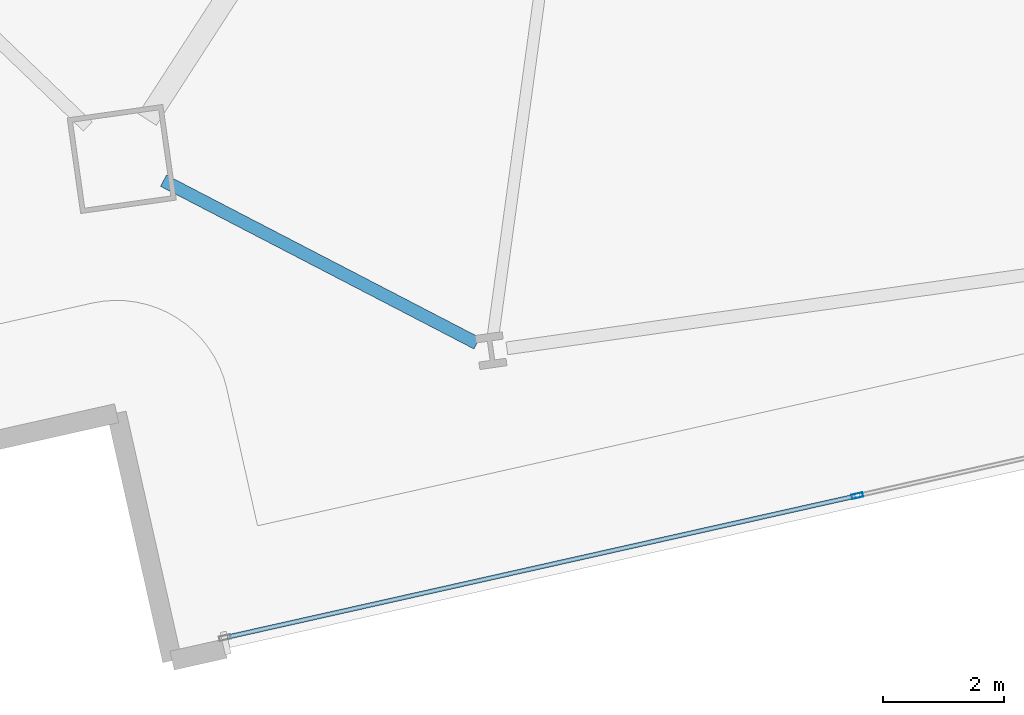
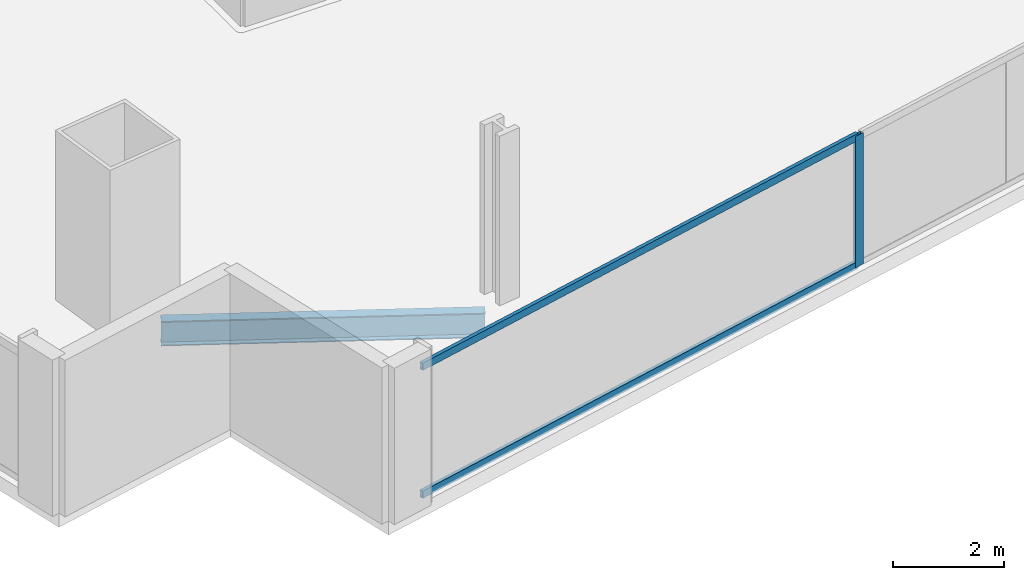
# One storey, part 3 of 32: 3 members, 1 beam, 1 element without a shape of its own.
"""IFC4 building model written with IfcOpenShell, lengths in metres."""

from ifc_helpers import new_model, si_unit, direction, frame, origin, origin_2d, place, context, subcontext, project, spatial, hollow_rectangle, i_section, extrude, material, material_profile, profile_set, type_object, element, aggregate, save


model = new_model("IFC4")

# Units and contexts
model_context = context("Model", 3, precision=1e-05, world=origin(), true_north=direction((0.0, 1.0)))
body_context = subcontext(model_context, "Body", "Model", "MODEL_VIEW")
ifc_project = project(units=[si_unit("LENGTHUNIT", "METRE"), si_unit("AREAUNIT", "SQUARE_METRE"), si_unit("VOLUMEUNIT", "CUBIC_METRE"), si_unit("PLANEANGLEUNIT", "RADIAN"), si_unit("MASSUNIT", "GRAM", prefix="KILO")], contexts=[model_context])

# Site, building, storey
site_placement = place(None, origin())
site = spatial("IfcSite", under=ifc_project, at=site_placement, CompositionType="ELEMENT")
building_placement = place(site_placement, origin())
building = spatial("IfcBuilding", under=site, at=building_placement, Name="Haldenkirk Collegiate Tower", CompositionType="ELEMENT")
storey_placement = place(building_placement, frame((0.0, 0.0, 70.199951171875)))
storey = spatial("IfcBuildingStorey", under=building, at=storey_placement, Name="L16", CompositionType="ELEMENT", Elevation=70.199951171875)

# Beam
ifc_material_1 = material(Name="Steel ASTM A992 Grade 50", Category="steel")
ifc_material_profile_1 = material_profile(ifc_material_1, i_section(OverallWidth=0.2119140625, OverallDepth=0.5439453125, WebThickness=0.01318359375, FlangeThickness=0.021240234375, at=origin_2d()), Name="W21X83")
ifc_profile_set_1 = profile_set([ifc_material_profile_1], Name="Steel ASTM A992 Grade 50")
beam_type = type_object("IfcBeamType", Name="BM-SPANDREL-W21X83", PredefinedType="SPANDREL", material=ifc_profile_set_1)
beam_placement = place(storey_placement, frame((19.388671875, 4.8125, -0.58203125), z_axis=(0.887640153988, -0.460537682528, 0.0), x_axis=(0.460537682528, 0.887640153988, 0.0)))
element("IfcBeam", 1, at=beam_placement, inside=storey, type_object=beam_type, Name="L16 perimeter spandrel beam 01", PredefinedType="SPANDREL", context=body_context, shape_type="SweptSolid", body=[
    extrude(i_section(OverallWidth=0.2119140625, OverallDepth=0.5439453125, WebThickness=0.01318359375, FlangeThickness=0.021240234375, at=origin_2d()), origin(), (0.0, 0.0, 1.0), 5.848876953125),
])

# Curtain wall, members
ifc_material_2 = material(Name="Anodised architectural bronze aluminium", Category="aluminium")
curtain_wall_type = type_object("IfcCurtainWallType", Name="CW-SYS2-CONCAVE", PredefinedType="USERDEFINED", material=ifc_material_2)
curtain_wall_placement = place(storey_placement, origin())
curtain_wall = element("IfcCurtainWall", 2, at=curtain_wall_placement, inside=storey, type_object=curtain_wall_type, Name="L16 South concave recessed bronze-anodised curtain wall", ObjectType="UNITISED CURTAIN WALL", PredefinedType="USERDEFINED")
ifc_material_profile_2 = material_profile(ifc_material_2, hollow_rectangle(XDim=0.074951171875, YDim=0.18994140625, WallThickness=0.0048828125, at=origin_2d()), Name="CW-MUL-02")
ifc_profile_set_2 = profile_set([ifc_material_profile_2], Name="Anodised architectural bronze aluminium")
member_type_1 = type_object("IfcMemberType", Name="CW-MUL-02", PredefinedType="MULLION", material=ifc_profile_set_2)
member_1_placement = place(storey_placement, frame((30.8837890625, -0.406494140625, 0.0), z_axis=(0.0, 0.0, 1.0), x_axis=(0.218993578578, -0.975726300015, 0.0)))
member_1 = element("IfcMember", 3, at=member_1_placement, type_object=member_type_1, Name="CW-02 mullion 4", PredefinedType="MULLION", context=body_context, shape_type="SweptSolid", body=[
    extrude(hollow_rectangle(XDim=0.074951171875, YDim=0.18994140625, WallThickness=0.0048828125, at=origin_2d()), origin(), (0.0, 0.0, 1.0), 2.89111328125),
])
ifc_material_profile_3 = material_profile(ifc_material_2, hollow_rectangle(XDim=0.074951171875, YDim=0.159912109375, WallThickness=0.0048828125, at=origin_2d()), Name="CW-TRN-02")
ifc_profile_set_3 = profile_set([ifc_material_profile_3], Name="Anodised architectural bronze aluminium")
member_type_2 = type_object("IfcMemberType", Name="CW-TRN-02", PredefinedType="USERDEFINED", material=ifc_profile_set_3)
member_2_placement = place(storey_placement, frame((30.84716796875, -0.41455078125, 0.03759765625), z_axis=(-0.975723142432, -0.219007646721, 0.0), x_axis=(0.219007646721, -0.975723142432, 0.0)))
member_2 = element("IfcMember", 4, at=member_2_placement, type_object=member_type_2, Name="CW-02 transom 4.1", ObjectType="TRANSOM", PredefinedType="USERDEFINED", context=body_context, shape_type="SweptSolid", body=[
    extrude(hollow_rectangle(XDim=0.074951171875, YDim=0.159912109375, WallThickness=0.0048828125, at=origin_2d()), origin(), (0.0, 0.0, 1.0), 10.66259765625),
])
member_3_placement = place(storey_placement, frame((30.84716796875, -0.41455078125, 2.853515625), z_axis=(-0.975723142432, -0.219007646721, 0.0), x_axis=(0.219007646721, -0.975723142432, 0.0)))
member_3 = element("IfcMember", 5, at=member_3_placement, type_object=member_type_2, Name="CW-02 transom 4.2", ObjectType="TRANSOM", PredefinedType="USERDEFINED", context=body_context, shape_type="SweptSolid", body=[
    extrude(hollow_rectangle(XDim=0.074951171875, YDim=0.159912109375, WallThickness=0.0048828125, at=origin_2d()), origin(), (0.0, 0.0, 1.0), 10.66259765625),
])
aggregate(curtain_wall, [member_1, member_2, member_3])

save(model, "model.ifc")
